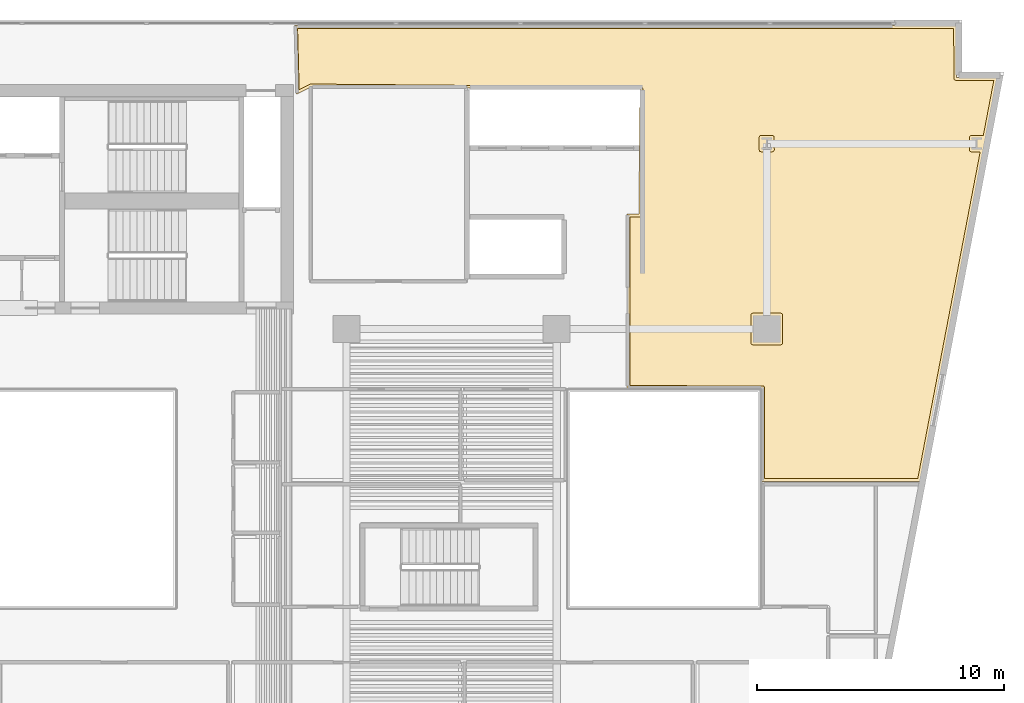
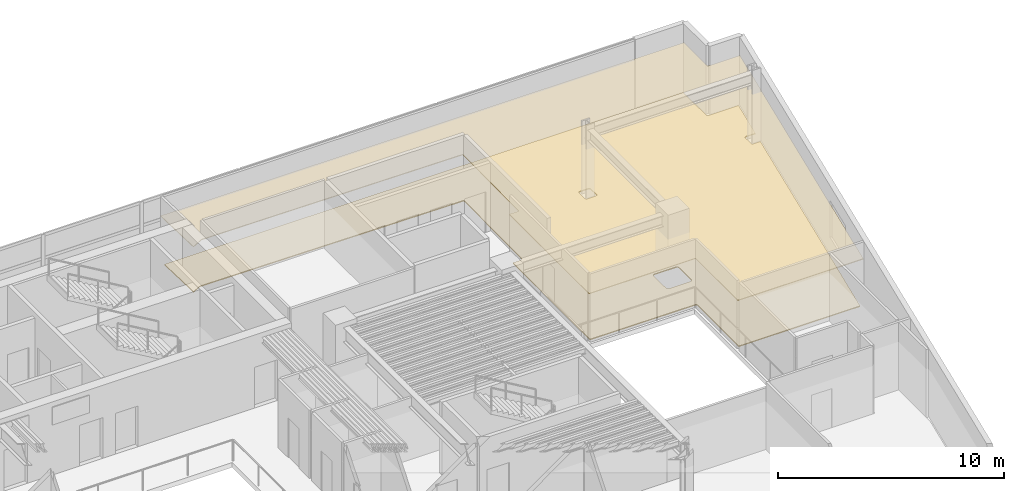
# One storey, part 13 of 13: 2 coverings.
"""IFC4 building model written with IfcOpenShell, lengths in metres."""

from ifc_helpers import new_model, si_unit, direction, frame, origin, place, context, subcontext, project, spatial, polyline, outline, extrude, material, layer, layer_set, type_object, element, save


model = new_model("IFC4")

# Units and contexts
model_context = context("Model", 3, precision=1e-05, world=origin(), true_north=direction((0.0, 1.0)))
body_context = subcontext(model_context, "Body", "Model", "MODEL_VIEW")
ifc_project = project(units=[si_unit("LENGTHUNIT", "METRE"), si_unit("AREAUNIT", "SQUARE_METRE"), si_unit("VOLUMEUNIT", "CUBIC_METRE"), si_unit("PLANEANGLEUNIT", "RADIAN"), si_unit("MASSUNIT", "GRAM", prefix="KILO")], contexts=[model_context])

# Site, building, storey
site_placement = place(None, origin())
site = spatial("IfcSite", under=ifc_project, at=site_placement, CompositionType="ELEMENT")
building_placement = place(site_placement, origin())
building = spatial("IfcBuilding", under=site, at=building_placement, Name="Caeloran Harvest Quay", CompositionType="ELEMENT")
storey_placement = place(building_placement, frame((0.0, 0.0, 166.699951171875)))
storey = spatial("IfcBuildingStorey", under=building, at=storey_placement, Name="L39", CompositionType="ELEMENT", Elevation=166.699951171875)

# Coverings
ifc_material_1 = material(Name="Perforated Mineral-Fibre Acoustic Ceiling Tile", Category="ceiling")
ifc_layer_1 = layer(ifc_material_1, 0.0400390625, Name="Perforated Mineral-Fibre Acoustic Ceiling Tile")
ifc_layer_set_1 = layer_set([ifc_layer_1], Name="Perforated Mineral-Fibre Acoustic Ceiling Tile")
covering_type_1 = type_object("IfcCoveringType", Name="COV-CEILING-ACOUSTIC", PredefinedType="CEILING", material=ifc_layer_set_1)
covering_1_placement = place(storey_placement, frame((0.0, 0.0, 2.60009765625)))
element("IfcCovering", 1, at=covering_1_placement, inside=storey, type_object=covering_type_1, Name="Hospitality Catering Kitchen 12 Acoustic Ceiling", PredefinedType="CEILING", context=body_context, shape_type="SweptSolid", body=[
    extrude(outline(polyline([(23.39990234375, 43.280029296875), (50.179931640625, 43.280029296875), (50.179931640625, 41.179931640625), (51.8330078125, 41.179931640625), (48.71240234375, 24.840087890625), (42.2900390625, 24.840087890625), (42.2900390625, 28.590087890625), (36.840087890625, 28.590087890625), (36.840087890625, 35.659912109375), (37.330322265625, 35.659912109375), (37.36962890625, 40.690185546875), (24.059326171875, 40.789794921875), (23.4716796875, 40.4912109375), (23.39990234375, 43.280029296875)])), origin(), (0.0, 0.0, 1.0), 0.0400390625),
])
ifc_material_2 = material(Name="Calcium-Sulphate Raised Access Floor and Terrazzo Finish", Category="flooring")
ifc_layer_2 = layer(ifc_material_2, 0.050048828125, Name="Calcium-Sulphate Raised Access Floor and Terrazzo Finish")
ifc_layer_set_2 = layer_set([ifc_layer_2], Name="Calcium-Sulphate Raised Access Floor and Terrazzo Finish")
covering_type_2 = type_object("IfcCoveringType", Name="COV-FLOOR-RAISED", PredefinedType="FLOORING", material=ifc_layer_set_2)
covering_2_placement = place(storey_placement, origin())
element("IfcCovering", 2, at=covering_2_placement, inside=storey, type_object=covering_type_2, Name="Hospitality Catering Kitchen 12 Raised Finish Flooring", PredefinedType="FLOORING", context=body_context, shape_type="SweptSolid", body=[
    extrude(outline(polyline([(24.050537109375, 40.909912109375), (23.586669921875, 40.684326171875), (23.52294921875, 43.159912109375), (50.06005859375, 43.159912109375), (50.078125, 41.089111328125), (50.139892578125, 41.06005859375), (51.68798828125, 41.06005859375), (51.260986328125, 38.82421875), (50.76513671875, 38.83154296875), (50.694580078125, 38.767578125), (50.70654296875, 38.20361328125), (50.76513671875, 38.16845703125), (51.135498046875, 38.16796875), (48.61328125, 24.9599609375), (42.409912109375, 24.9599609375), (42.409912109375, 28.6298828125), (42.37451171875, 28.696533203125), (36.9599609375, 28.7099609375), (36.9599609375, 35.5400390625), (37.377685546875, 35.540283203125), (37.44970703125, 35.611572265625), (37.489990234375, 40.7294921875), (37.455078125, 40.796142578125), (24.050537109375, 40.909912109375)]), holes=[polyline([(41.93505859375, 31.64501953125), (41.87841796875, 31.62158203125), (41.85498046875, 31.56494140625), (41.85498046875, 30.43505859375), (41.87841796875, 30.37841796875), (41.93505859375, 30.35498046875), (43.06494140625, 30.35498046875), (43.12158203125, 30.37841796875), (43.14501953125, 30.43505859375), (43.14501953125, 31.56494140625), (43.12158203125, 31.62158203125), (43.06494140625, 31.64501953125), (41.93505859375, 31.64501953125)]), polyline([(42.806884765625, 38.248046875), (42.788818359375, 38.802734375), (42.73486328125, 38.83154296875), (42.27294921875, 38.83203125), (42.21630859375, 38.80859375), (42.193115234375, 38.751953125), (42.193115234375, 38.248046875), (42.21630859375, 38.19140625), (42.27294921875, 38.16796875), (42.72705078125, 38.16796875), (42.78369140625, 38.19140625), (42.806884765625, 38.248046875)])]), origin(), (0.0, 0.0, 1.0), 0.050048828125),
])

save(model, "model.ifc")
